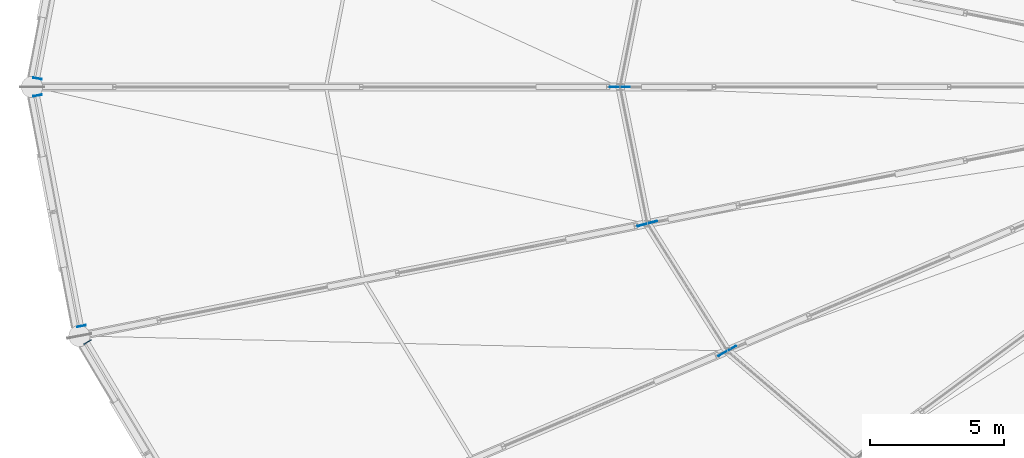
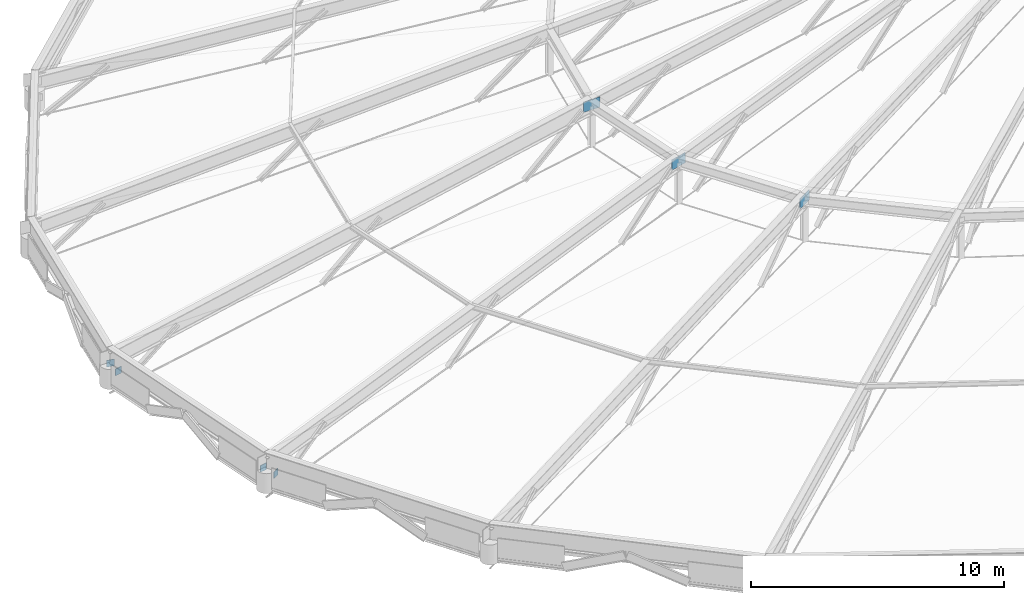
# One storey, part 62 of 83: 7 plates.
"""IFC4 building model written with IfcOpenShell, lengths in metres."""

import ifcopenshell
import ifcopenshell.guid

model = None  # the IFC model being written
_history = None  # IfcOwnerHistory: only IFC2X3 demands one
_inside = {}  # id of a spatial element -> (the spatial element, [elements in it])
_under = {}  # id of a project, library or spatial element -> (it, [spatial elements below it])
_declared = {}  # id of a project -> (the project, [libraries it declares])
_typed = {}  # id of a type object -> (the type object, [elements of that type])
_made_of = {}  # id of a material, layer set ... -> (it, [elements and type objects made of it])


def new_model(schema):
    """Start an empty IFC model of exactly this schema.

    Asked for "IFC4X3", IfcOpenShell would pick the latest addendum, in which some entities
    have other attributes; the version numbers below select the first issue.
    IFC2X3 requires an IfcOwnerHistory on every rooted entity: one is made here for all.
    """
    global model, _history
    if schema == "IFC4X3":
        model = ifcopenshell.file(schema_version=(4, 3, 0, 0))
    else:
        model = ifcopenshell.file(schema=schema)
    _inside.clear()
    _under.clear()
    _declared.clear()
    _typed.clear()
    _made_of.clear()
    _history = None
    if model.schema == "IFC2X3":
        org = make("IfcOrganization", Name="unknown")
        user = make(
            "IfcPersonAndOrganization",
            ThePerson=make("IfcPerson", FamilyName="unknown"),
            TheOrganization=org,
        )
        app = make(
            "IfcApplication",
            ApplicationDeveloper=org,
            Version="unknown",
            ApplicationFullName="unknown",
            ApplicationIdentifier="unknown",
        )
        _history = make(
            "IfcOwnerHistory",
            OwningUser=user,
            OwningApplication=app,
            ChangeAction="ADDED",
            CreationDate=0,
        )
    return model


def make(cls, **values):
    """One entity of the class cls with the attributes given. An attribute that is None is left unset."""
    return model.create_entity(
        cls, **{name: value for name, value in values.items() if value is not None}
    )


def rooted(cls, **values):
    """An entity with a GlobalId (a new one), such as an element, a storey or a relation."""
    return make(cls, GlobalId=ifcopenshell.guid.new(), OwnerHistory=_history, **values)


def si_unit(unit_type, name, prefix=None):
    """IfcSIUnit, for example si_unit("LENGTHUNIT", "METRE", prefix="MILLI")."""
    return make("IfcSIUnit", UnitType=unit_type, Prefix=prefix, Name=name)


def assignment(units):
    """IfcUnitAssignment: the units of a project."""
    return None if units is None else make("IfcUnitAssignment", Units=units)


def point(xyz):
    """IfcCartesianPoint."""
    return None if xyz is None else make("IfcCartesianPoint", Coordinates=xyz)


def direction(xyz):
    """IfcDirection."""
    return None if xyz is None else make("IfcDirection", DirectionRatios=xyz)


def frame(location, z_axis=None, x_axis=None):
    """IfcAxis2Placement3D, a coordinate frame: its origin and axes. An axis left out is left unset."""
    return make(
        "IfcAxis2Placement3D",
        Location=point(location),
        Axis=direction(z_axis),
        RefDirection=direction(x_axis),
    )


def frame_2d(location, x_axis=None):
    """IfcAxis2Placement2D, a coordinate frame in the plane: its origin and x axis."""
    return make(
        "IfcAxis2Placement2D", Location=point(location), RefDirection=direction(x_axis)
    )


def origin():
    """The frame at (0, 0, 0) with its axes left unset."""
    return frame((0.0, 0.0, 0.0))


def origin_2d():
    """The frame at (0, 0) in the plane with its x axis left unset."""
    return frame_2d((0.0, 0.0))


def place(relative_to, where):
    """IfcLocalPlacement: puts the frame where relative to a parent placement (None: the world)."""
    return make(
        "IfcLocalPlacement", PlacementRelTo=relative_to, RelativePlacement=where
    )


def context(
    kind, dimensions, precision=None, world=None, true_north=None, identifier=None
):
    """IfcGeometricRepresentationContext, for example the 3D "Model" context."""
    return make(
        "IfcGeometricRepresentationContext",
        ContextIdentifier=identifier,
        ContextType=kind,
        CoordinateSpaceDimension=dimensions,
        Precision=precision,
        WorldCoordinateSystem=world,
        TrueNorth=true_north,
    )


def subcontext(parent, identifier, kind, view, scale=None):
    """IfcGeometricRepresentationSubContext, for example "Body" below "Model"."""
    return make(
        "IfcGeometricRepresentationSubContext",
        ContextIdentifier=identifier,
        ContextType=kind,
        ParentContext=parent,
        TargetScale=scale,
        TargetView=view,
    )


def project(units=None, contexts=None):
    """IfcProject with its units and contexts."""
    return rooted(
        "IfcProject",
        Name="project",
        RepresentationContexts=contexts,
        UnitsInContext=assignment(units),
    )


def spatial(cls, under=None, at=None, **own):
    """A site, building, storey or space (cls), placed at a placement, below another one or the project."""
    s = rooted(cls, ObjectPlacement=at, **own)
    if under is not None:
        _under.setdefault(under.id(), (under, []))[1].append(s)
    return s


def profile(cls, at=None, kind="AREA", **sizes):
    """A parametric profile (cls). Its sizes go by their IFC names, for example OverallWidth=200.0."""
    return make(cls, ProfileType=kind, Position=at, **sizes)


def rectangle(**sizes):
    """IfcRectangleProfileDef."""
    return profile("IfcRectangleProfileDef", **sizes)


def extrude(swept, where, along, depth):
    """IfcExtrudedAreaSolid: the profile swept, set in the frame where, extruded along a direction by depth."""
    return make(
        "IfcExtrudedAreaSolid",
        SweptArea=swept,
        Position=where,
        ExtrudedDirection=direction(along),
        Depth=depth,
    )


def shape(context_of_items, identifier, shape_type, items):
    """IfcShapeRepresentation: the items that make up one representation, for example the "Body"."""
    return make(
        "IfcShapeRepresentation",
        ContextOfItems=context_of_items,
        RepresentationIdentifier=identifier,
        RepresentationType=shape_type,
        Items=items,
    )


def material(Name=None, Category=None):
    """IfcMaterial."""
    return make("IfcMaterial", Name=Name, Category=Category)


def layer(
    of_material, thickness, ventilated=None, Name=None, Category=None, Priority=None
):
    """IfcMaterialLayer: one layer of a wall or slab, of a material (None: an air gap)."""
    return make(
        "IfcMaterialLayer",
        Material=of_material,
        LayerThickness=thickness,
        IsVentilated=ventilated,
        Name=Name,
        Category=Category,
        Priority=Priority,
    )


def layer_set(layers, Name=None):
    """IfcMaterialLayerSet."""
    return make("IfcMaterialLayerSet", MaterialLayers=layers, LayerSetName=Name)


def made_of(thing, what):
    """Note that an element or type object is made of a material, layer set ...; save() writes the relation."""
    if what is not None:
        _made_of.setdefault(what.id(), (what, []))[1].append(thing)
    return thing


def type_object(cls, material=None, **own):
    """A type object (cls), such as IfcWallType, which elements share."""
    return made_of(rooted(cls, **own), material)


def element(
    cls,
    number,
    at=None,
    inside=None,
    cuts=None,
    type_object=None,
    material=None,
    context=None,
    identifier="Body",
    shape_type=None,
    held_by="IfcProductDefinitionShape",
    body=None,
    shapes=None,
    **own,
):
    """One element of the class cls, such as IfcWall. Its Tag is "e" and its number.

    at: its placement. inside: the storey or other place that contains it. cuts: it is an
    opening in that element (IfcRelVoidsElement). A single representation is given by context,
    identifier, shape_type and body (its items); several are given by shapes. held_by: the class
    of the entity that holds the representations. save() writes the other relations.
    """
    e = rooted(cls, Tag="e%d" % number, ObjectPlacement=at, **own)
    if body is not None:
        shapes = [shape(context, identifier, shape_type, body)]
    if shapes is not None:
        e.Representation = make(held_by, Representations=shapes)
    if inside is not None:
        _inside.setdefault(inside.id(), (inside, []))[1].append(e)
    if cuts is not None:
        rooted(
            "IfcRelVoidsElement", RelatingBuildingElement=cuts, RelatedOpeningElement=e
        )
    if type_object is not None:
        _typed.setdefault(type_object.id(), (type_object, []))[1].append(e)
    return made_of(e, material)


def aggregate(whole, parts):
    """IfcRelAggregates: a whole, such as a stair, and the parts it consists of."""
    return rooted("IfcRelAggregates", RelatingObject=whole, RelatedObjects=parts)


def save(model, path):
    """Write the relations noted so far, then the file.

    IfcRelAggregates (storeys below a building ...), IfcRelContainedInSpatialStructure (elements
    in a storey), IfcRelDefinesByType, IfcRelAssociatesMaterial and IfcRelDeclares: one each for
    every whole, place, type object, material and project.
    """
    for whole, parts in _under.values():
        aggregate(whole, parts)
    for where, things in _inside.values():
        rooted(
            "IfcRelContainedInSpatialStructure",
            RelatedElements=things,
            RelatingStructure=where,
        )
    for kind, things in _typed.values():
        rooted("IfcRelDefinesByType", RelatedObjects=things, RelatingType=kind)
    for what, things in _made_of.values():
        rooted("IfcRelAssociatesMaterial", RelatedObjects=things, RelatingMaterial=what)
    for by, libraries in _declared.values():
        rooted("IfcRelDeclares", RelatingContext=by, RelatedDefinitions=libraries)
    model.write(path)


model = new_model("IFC4")

# Units and contexts
model_context = context("Model", 3, precision=1e-05, world=origin(), true_north=direction((0.0, 1.0)))
body_context = subcontext(model_context, "Body", "Model", "MODEL_VIEW")
ifc_project = project(units=[si_unit("LENGTHUNIT", "METRE"), si_unit("AREAUNIT", "SQUARE_METRE"), si_unit("VOLUMEUNIT", "CUBIC_METRE"), si_unit("PLANEANGLEUNIT", "RADIAN"), si_unit("MASSUNIT", "GRAM", prefix="KILO")], contexts=[model_context])

# Site, building, storey
site_placement = place(None, origin())
site = spatial("IfcSite", under=ifc_project, at=site_placement, CompositionType="ELEMENT")
building_placement = place(site_placement, origin())
building = spatial("IfcBuilding", under=site, at=building_placement, Name="Kivolera Central Railway Station", CompositionType="ELEMENT")
storey_placement = place(building_placement, frame((0.0, 0.0, 14.39990234375)))
storey = spatial("IfcBuildingStorey", under=building, at=storey_placement, Name="L03", CompositionType="ELEMENT", Elevation=14.39990234375)

# Plates
ifc_material = material(Name="Steel S355", Category="steel")
ifc_layer_1 = layer(ifc_material, 0.02490234375, Name="Steel S355")
ifc_layer_set_1 = layer_set([ifc_layer_1], Name="Steel S355")
plate_type_1 = type_object("IfcPlateType", Name="PLT-CAP-320", PredefinedType="SHEET", material=ifc_layer_set_1)
for number, where, z_axis, x_axis, name in (
    (1, (12.2080078125, 90.318115234375, 0.735107421875), (-0.18681355608, -0.982395386423, 0.0), (0.982395386423, -0.18681355608, 0.0), "Hollow section end-cap plate NP-CAP1"),
    (2, (12.2080078125, 89.681884765625, 0.735107421875), (0.18681355608, -0.982395386423, 0.0), (0.982395386423, 0.18681355608, 0.0), "Hollow section end-cap plate NP-CAP1"),
    (3, (13.84912109375, 81.054931640625, 0.735107421875), (0.18681355608, -0.982395386423, 0.0), (0.982395386423, 0.18681355608, 0.0), "Hollow section end-cap plate NP-CAP1"),
    (4, (14.076904296875, 80.4560546875, 0.735107421875), (0.513369912177, -0.858167427296, 0.0), (0.858167427296, 0.513369912177, 0.0), "Hollow section end-cap plate NP-CAP1"),
):
    element("IfcPlate", number, at=place(storey_placement, frame(where, z_axis=z_axis, x_axis=x_axis)), inside=storey, type_object=plate_type_1, Name=name, PredefinedType="SHEET", context=body_context, shape_type="SweptSolid", body=[
        extrude(rectangle(XDim=0.320068359375, YDim=0.320068359375, at=origin_2d()), frame((0.0, 0.0, -0.012451171875)), (0.0, 0.0, 1.0), 0.02490234375),
    ])
ifc_layer_2 = layer(ifc_material, 0.02392578125, Name="Steel S355")
ifc_layer_set_2 = layer_set([ifc_layer_2], Name="Steel S355")
plate_type_2 = type_object("IfcPlateType", Name="PLT-GUS-750", PredefinedType="SHEET", material=ifc_layer_set_2)
for number, where, z_axis, x_axis, name in (
    (5, (34.0, 90.0, 5.530029296875), (0.0, 0.0, 1.0), (-1.0, 0.0, 0.0), "Dome Ring Node Gusset Plate R1-13"),
    (6, (35.02197265625, 84.887939453125, 5.530029296875), (0.0, 0.0, 1.0), (-0.965925826289, -0.258819045103, 0.0), "Dome Ring Node Gusset Plate R1-14"),
    (7, (38.01904296875, 80.125, 5.530029296875), (0.0, 0.0, 1.0), (-0.866025403784, -0.5, 0.0), "Dome Ring Node Gusset Plate R1-15"),
):
    element("IfcPlate", number, at=place(storey_placement, frame(where, z_axis=z_axis, x_axis=x_axis)), inside=storey, type_object=plate_type_2, Name=name, PredefinedType="SHEET", context=body_context, shape_type="SweptSolid", body=[
        extrude(rectangle(XDim=0.75, YDim=0.02392578125, at=origin_2d()), origin(), (0.0, 0.0, 1.0), 0.5),
    ])

save(model, "model.ifc")
